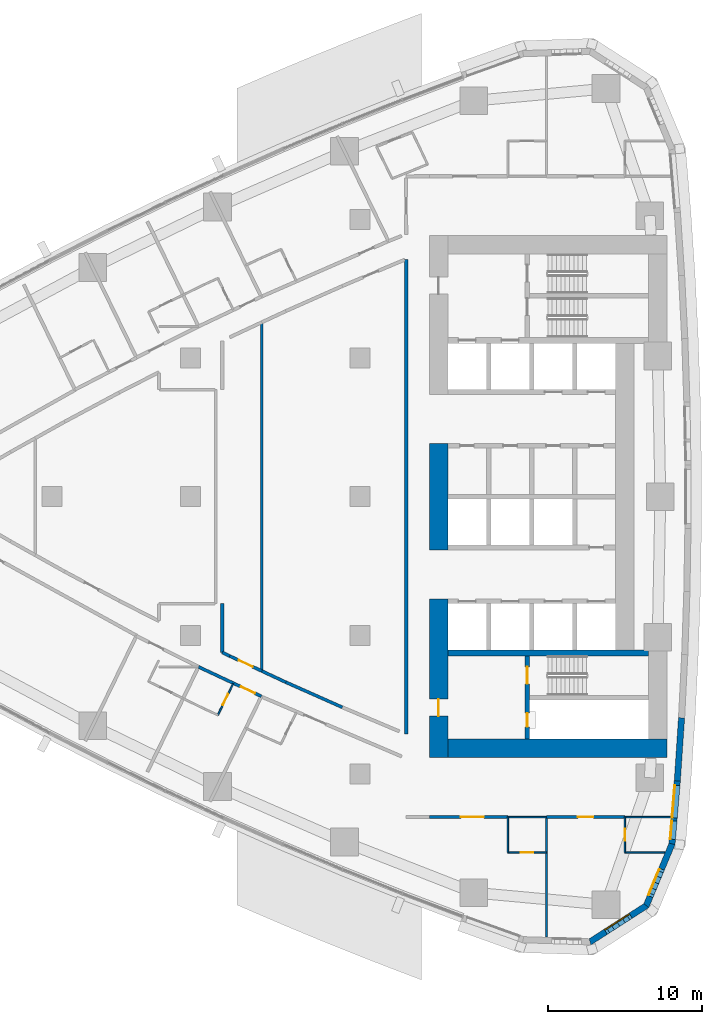
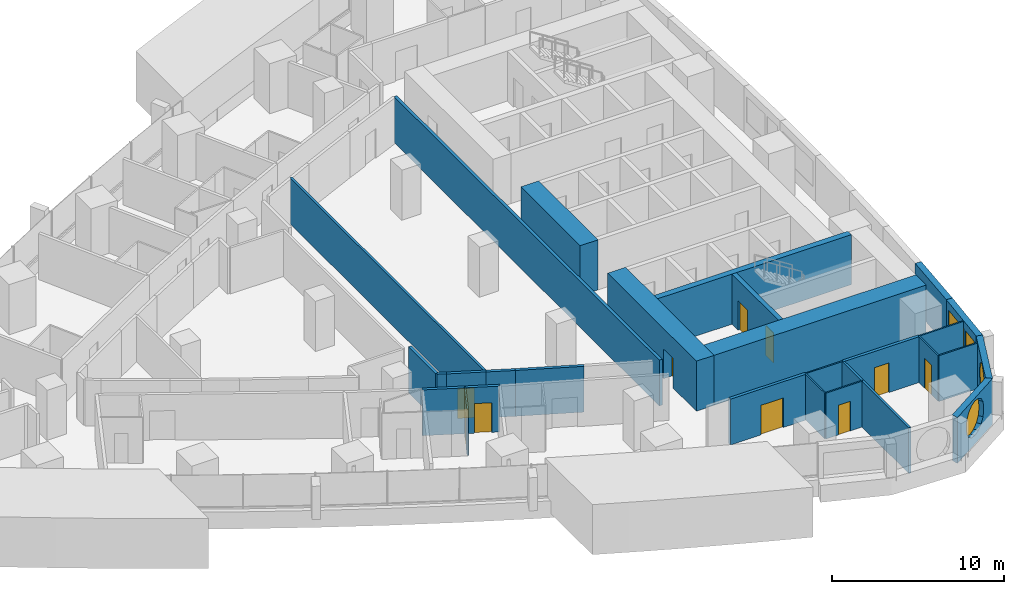
# One storey, part 10 of 19: 27 walls, 10 doors, 4 windows, 14 openings.
"""IFC4 building model written with IfcOpenShell, lengths in metres."""

from ifc_helpers import new_model, si_unit, direction, frame, frame_2d, origin, place, context, subcontext, project, spatial, polyline, rectangle, outline, extrude, material, layer, layer_set, type_object, element, fill, save


model = new_model("IFC4")

# Units and contexts
model_context = context("Model", 3, precision=1e-05, world=origin(), true_north=direction((0.0, 1.0)))
body_context = subcontext(model_context, "Body", "Model", "MODEL_VIEW")
ifc_project = project(units=[si_unit("LENGTHUNIT", "METRE"), si_unit("AREAUNIT", "SQUARE_METRE"), si_unit("VOLUMEUNIT", "CUBIC_METRE"), si_unit("PLANEANGLEUNIT", "RADIAN"), si_unit("MASSUNIT", "GRAM", prefix="KILO")], contexts=[model_context])

# Site, building, storey
site_placement = place(None, origin())
site = spatial("IfcSite", under=ifc_project, at=site_placement, CompositionType="ELEMENT")
building_placement = place(site_placement, origin())
building = spatial("IfcBuilding", under=site, at=building_placement, Name="Ostrand Prow Hotel Tower", CompositionType="ELEMENT")
storey_placement = place(building_placement, frame((0.0, 0.0, 43.14990234375)))
storey = spatial("IfcBuildingStorey", under=building, at=storey_placement, Name="L08", CompositionType="ELEMENT", Elevation=43.14990234375)

# Wall
ifc_material_1 = material(Name="Concrete C80/95", Category="concrete")
ifc_layer_1 = layer(ifc_material_1, 1.199951171875)
ifc_layer_set_1 = layer_set([ifc_layer_1], Name="Concrete C80/95")
wall_type_1 = type_object("IfcWallType", Name="Core wall 1200 C80/95", PredefinedType="SHEAR", material=ifc_layer_set_1)
wall_1_placement = place(storey_placement, frame((50.10009765625, -3.449951171875, 0.0), z_axis=(0.0, 0.0, 1.0), x_axis=(0.0, 1.0, 0.0)))
element("IfcWall", 1, at=wall_1_placement, inside=storey, type_object=wall_type_1, Name="Core wall CW-W-C", PredefinedType="SHEAR", context=body_context, shape_type="SweptSolid", body=[
    extrude(rectangle(XDim=6.89990234375, YDim=1.199951171875, at=frame_2d((3.449951171875, 0.0))), origin(), (0.0, 0.0, 1.0), 3.550048828125),
])

# Wall, opening, door
wall_2_placement = place(storey_placement, frame((50.10009765625, -16.949951171875, 0.0), z_axis=(0.0, 0.0, 1.0), x_axis=(0.0, 1.0, 0.0)))
wall_2 = element("IfcWall", 2, at=wall_2_placement, inside=storey, type_object=wall_type_1, Name="Core wall CW-W-S", PredefinedType="SHEAR", context=body_context, shape_type="SweptSolid", body=[
    extrude(rectangle(XDim=10.300048828125, YDim=1.199951171875, at=frame_2d((5.14990234375, 0.0))), origin(), (0.0, 0.0, 1.0), 3.550048828125),
])
opening_1_placement = place(wall_2_placement, frame((2.699951171875, 0.0, 0.0)))
opening_1 = element("IfcOpeningElement", 3, at=opening_1_placement, cuts=wall_2, Name="Opening FD1", PredefinedType="OPENING", context=body_context, shape_type="SweptSolid", body=[
    extrude(rectangle(XDim=1.10009765625, YDim=2.10009765625, at=frame_2d((0.550048828125, 1.050048828125))), frame((0.0, 0.60986328125, 0.0), z_axis=(0.0, -1.0, 0.0), x_axis=(1.0, 0.0, 0.0)), (0.0, 0.0, 1.0), 1.219970703125),
])
ifc_material_2 = material(Name="Steel fire door", Category="steel")
door_type_1 = type_object("IfcDoorType", Name="Fire door 1100 EI120", OperationType="SINGLE_SWING_RIGHT", PredefinedType="DOOR", material=ifc_material_2)
door_1_placement = place(opening_1_placement, origin())
door_1 = element("IfcDoor", 4, at=door_1_placement, inside=storey, type_object=door_type_1, Name="FIRE DOOR", OperationType="SINGLE_SWING_RIGHT", OverallHeight=2.10009765625, OverallWidth=1.10009765625, PredefinedType="DOOR", context=body_context, shape_type="SweptSolid", body=[
    extrude(rectangle(XDim=1.10009765625, YDim=2.10009765625, at=frame_2d((0.550048828125, 1.050048828125))), frame((0.0, 0.02490234375, 0.0), z_axis=(0.0, -1.0, 0.0), x_axis=(1.0, 0.0, 0.0)), (0.0, 0.0, 1.0), 0.050048828125),
])
fill(opening_1, door_1)

# Wall
wall_3_placement = place(storey_placement, frame((50.699951171875, -16.35009765625, 0.0), z_axis=(0.0, 0.0, 1.0), x_axis=(1.0, 0.0, 0.0)))
element("IfcWall", 5, at=wall_3_placement, inside=storey, type_object=wall_type_1, Name="Core wall CW-S", PredefinedType="SHEAR", context=body_context, shape_type="SweptSolid", body=[
    extrude(rectangle(XDim=14.219970703125, YDim=1.199951171875, at=frame_2d((7.10986328125, 0.0))), origin(), (0.0, 0.0, 1.0), 3.550048828125),
])

# Wall, openings, doors
ifc_material_3 = material(Name="Concrete C80/95", Category="concrete")
ifc_layer_2 = layer(ifc_material_3, 0.300048828125)
ifc_layer_set_2 = layer_set([ifc_layer_2], Name="Concrete C80/95")
wall_type_2 = type_object("IfcWallType", Name="Core wall 300 C80/95", PredefinedType="SHEAR", material=ifc_layer_set_2)
wall_4_placement = place(storey_placement, frame((55.85009765625, -15.75, 0.0), z_axis=(0.0, 0.0, 1.0), x_axis=(0.0, 1.0, 0.0)))
wall_4 = element("IfcWall", 6, at=wall_4_placement, inside=storey, type_object=wall_type_2, Name="Core wall PW-VS", PredefinedType="SHEAR", context=body_context, shape_type="SweptSolid", body=[
    extrude(rectangle(XDim=5.39990234375, YDim=0.300048828125, at=frame_2d((2.699951171875, 0.0))), origin(), (0.0, 0.0, 1.0), 3.550048828125),
])
opening_2_placement = place(wall_4_placement, frame((3.60009765625, 0.0, 0.0)))
opening_2 = element("IfcOpeningElement", 7, at=opening_2_placement, cuts=wall_4, Name="Opening FD1", PredefinedType="OPENING", context=body_context, shape_type="SweptSolid", body=[
    extrude(rectangle(XDim=1.10009765625, YDim=2.10009765625, at=frame_2d((0.550048828125, 1.050048828125))), frame((0.0, 0.159912109375, 0.0), z_axis=(0.0, -1.0, 0.0), x_axis=(1.0, 0.0, 0.0)), (0.0, 0.0, 1.0), 0.320068359375),
])
opening_3_placement = place(wall_4_placement, frame((0.800048828125, 0.0, 0.0)))
opening_3 = element("IfcOpeningElement", 8, at=opening_3_placement, cuts=wall_4, Name="Opening FD2", PredefinedType="OPENING", context=body_context, shape_type="SweptSolid", body=[
    extrude(rectangle(XDim=0.89990234375, YDim=2.10009765625, at=frame_2d((0.449951171875, 1.050048828125))), frame((0.0, 0.159912109375, 0.0), z_axis=(0.0, -1.0, 0.0), x_axis=(1.0, 0.0, 0.0)), (0.0, 0.0, 1.0), 0.320068359375),
])
door_2_placement = place(opening_2_placement, origin())
door_2 = element("IfcDoor", 9, at=door_2_placement, inside=storey, type_object=door_type_1, Name="FIRE DOOR", OperationType="SINGLE_SWING_RIGHT", OverallHeight=2.10009765625, OverallWidth=1.10009765625, PredefinedType="DOOR", context=body_context, shape_type="SweptSolid", body=[
    extrude(rectangle(XDim=1.10009765625, YDim=2.10009765625, at=frame_2d((0.550048828125, 1.050048828125))), frame((0.0, 0.02490234375, 0.0), z_axis=(0.0, -1.0, 0.0), x_axis=(1.0, 0.0, 0.0)), (0.0, 0.0, 1.0), 0.050048828125),
])
fill(opening_2, door_2)
ifc_material_4 = material(Name="Steel fire door", Category="steel")
door_type_2 = type_object("IfcDoorType", Name="Fire door 900 EI120", OperationType="SINGLE_SWING_LEFT", PredefinedType="DOOR", material=ifc_material_4)
door_3_placement = place(opening_3_placement, origin())
door_3 = element("IfcDoor", 10, at=door_3_placement, inside=storey, type_object=door_type_2, Name="FIRE DOOR", OperationType="SINGLE_SWING_LEFT", OverallHeight=2.10009765625, OverallWidth=0.89990234375, PredefinedType="DOOR", context=body_context, shape_type="SweptSolid", body=[
    extrude(rectangle(XDim=0.89990234375, YDim=2.10009765625, at=frame_2d((0.449951171875, 1.050048828125))), frame((0.0, 0.02490234375, 0.0), z_axis=(0.0, -1.0, 0.0), x_axis=(1.0, 0.0, 0.0)), (0.0, 0.0, 1.0), 0.050048828125),
])
fill(opening_3, door_3)

# Walls
ifc_material_5 = material(Name="Concrete C80/95", Category="concrete")
ifc_layer_3 = layer(ifc_material_5, 0.39990234375)
ifc_layer_set_3 = layer_set([ifc_layer_3], Name="Concrete C80/95")
wall_type_3 = type_object("IfcWallType", Name="Core wall 400 C80/95", PredefinedType="SHEAR", material=ifc_layer_set_3)
wall_5_placement = place(storey_placement, frame((50.699951171875, -10.14990234375, 0.0), z_axis=(0.0, 0.0, 1.0), x_axis=(1.0, 0.0, 0.0)))
element("IfcWall", 11, at=wall_5_placement, inside=storey, type_object=wall_type_3, Name="Core wall PW-BS", PredefinedType="SHEAR", context=body_context, shape_type="SweptSolid", body=[
    extrude(rectangle(XDim=13.02001953125, YDim=0.39990234375, at=frame_2d((6.510009765625, 0.0))), origin(), (0.0, 0.0, 1.0), 3.550048828125),
])
ifc_material_6 = material(Name="Plasterboard partition")
ifc_layer_4 = layer(ifc_material_6, 0.10009765625)
ifc_layer_set_4 = layer_set([ifc_layer_4], Name="Plasterboard partition")
wall_type_4 = type_object("IfcWallType", Name="Partition 100 bathroom wall", PredefinedType="PARTITIONING", material=ifc_layer_set_4)
wall_6_placement = place(storey_placement, frame((54.601806640625, -23.10009765625, 0.0), z_axis=(0.0, 0.0, 1.0), x_axis=(0.0, 1.0, 0.0)))
element("IfcWall", 12, at=wall_6_placement, inside=storey, type_object=wall_type_4, Name="BATHROOM WALL", PredefinedType="PARTITIONING", context=body_context, shape_type="SweptSolid", body=[
    extrude(rectangle(XDim=2.300048828125, YDim=0.10009765625, at=frame_2d((1.14990234375, 0.0))), origin(), (0.0, 0.0, 1.0), 3.25),
])

# Wall, opening, door
wall_7_placement = place(storey_placement, frame((57.101806640625, -23.10009765625, 0.0), z_axis=(0.0, 0.0, 1.0), x_axis=(-1.0, 0.0, 0.0)))
wall_7 = element("IfcWall", 13, at=wall_7_placement, inside=storey, type_object=wall_type_4, Name="BATHROOM WALL", PredefinedType="PARTITIONING", context=body_context, shape_type="SweptSolid", body=[
    extrude(rectangle(XDim=2.5, YDim=0.10009765625, at=frame_2d((1.25, 0.0))), origin(), (0.0, 0.0, 1.0), 3.25),
])
opening_4_placement = place(wall_7_placement, frame((0.85009765625, 0.0, 0.0)))
opening_4 = element("IfcOpeningElement", 14, at=opening_4_placement, cuts=wall_7, Name="Opening D2", PredefinedType="OPENING", context=body_context, shape_type="SweptSolid", body=[
    extrude(rectangle(XDim=0.800048828125, YDim=2.10009765625, at=frame_2d((0.39990234375, 1.050048828125))), frame((0.0, 0.06005859375, 0.0), z_axis=(0.0, -1.0, 0.0), x_axis=(1.0, 0.0, 0.0)), (0.0, 0.0, 1.0), 0.1201171875),
])
ifc_material_7 = material(Name="Timber door leaf", Category="wood")
door_type_3 = type_object("IfcDoorType", Name="Bathroom door 800", OperationType="SINGLE_SWING_LEFT", PredefinedType="DOOR", material=ifc_material_7)
door_4_placement = place(opening_4_placement, origin())
door_4 = element("IfcDoor", 15, at=door_4_placement, inside=storey, type_object=door_type_3, Name="DOOR", OperationType="SINGLE_SWING_LEFT", OverallHeight=2.10009765625, OverallWidth=0.800048828125, PredefinedType="DOOR", context=body_context, shape_type="SweptSolid", body=[
    extrude(rectangle(XDim=0.800048828125, YDim=2.10009765625, at=frame_2d((0.39990234375, 1.050048828125))), frame((0.0, 0.02490234375, 0.0), z_axis=(0.0, -1.0, 0.0), x_axis=(1.0, 0.0, 0.0)), (0.0, 0.0, 1.0), 0.050048828125),
])
fill(opening_4, door_4)

# Wall
wall_8_placement = place(storey_placement, frame((64.781494140625, -23.10009765625, 0.0), z_axis=(0.0, 0.0, 1.0), x_axis=(-1.0, 0.0, 0.0)))
element("IfcWall", 16, at=wall_8_placement, inside=storey, type_object=wall_type_4, Name="BATHROOM WALL", PredefinedType="PARTITIONING", context=body_context, shape_type="SweptSolid", body=[
    extrude(rectangle(XDim=2.578125, YDim=0.10009765625, at=frame_2d((1.2890625, 0.0))), origin(), (0.0, 0.0, 1.0), 3.25),
])

# Wall, opening, door
wall_9_placement = place(storey_placement, frame((62.203369140625, -23.10009765625, 0.0), z_axis=(0.0, 0.0, 1.0), x_axis=(0.0, 1.0, 0.0)))
wall_9 = element("IfcWall", 17, at=wall_9_placement, inside=storey, type_object=wall_type_4, Name="BATHROOM WALL", PredefinedType="PARTITIONING", context=body_context, shape_type="SweptSolid", body=[
    extrude(rectangle(XDim=2.300048828125, YDim=0.10009765625, at=frame_2d((1.14990234375, 0.0))), origin(), (0.0, 0.0, 1.0), 3.25),
])
opening_5_placement = place(wall_9_placement, frame((0.75, 0.0, 0.0)))
opening_5 = element("IfcOpeningElement", 18, at=opening_5_placement, cuts=wall_9, Name="Opening D2", PredefinedType="OPENING", context=body_context, shape_type="SweptSolid", body=[
    extrude(rectangle(XDim=0.800048828125, YDim=2.10009765625, at=frame_2d((0.39990234375, 1.050048828125))), frame((0.0, 0.06005859375, 0.0), z_axis=(0.0, -1.0, 0.0), x_axis=(1.0, 0.0, 0.0)), (0.0, 0.0, 1.0), 0.1201171875),
])
door_5_placement = place(opening_5_placement, origin())
door_5 = element("IfcDoor", 19, at=door_5_placement, inside=storey, type_object=door_type_3, Name="DOOR", OperationType="SINGLE_SWING_LEFT", OverallHeight=2.10009765625, OverallWidth=0.800048828125, PredefinedType="DOOR", context=body_context, shape_type="SweptSolid", body=[
    extrude(rectangle(XDim=0.800048828125, YDim=2.10009765625, at=frame_2d((0.39990234375, 1.050048828125))), frame((0.0, 0.02490234375, 0.0), z_axis=(0.0, -1.0, 0.0), x_axis=(1.0, 0.0, 0.0)), (0.0, 0.0, 1.0), 0.050048828125),
])
fill(opening_5, door_5)

wall_10_placement = place(storey_placement, frame((36.764892578125, -12.135986328125, 0.0), z_axis=(0.0, 0.0, 1.0), x_axis=(-0.438229314017, -0.898863208912, 0.0)))
wall_10 = element("IfcWall", 20, at=wall_10_placement, inside=storey, type_object=wall_type_4, Name="BATHROOM WALL", PredefinedType="PARTITIONING", context=body_context, shape_type="SweptSolid", body=[
    extrude(rectangle(XDim=2.27734375, YDim=0.10009765625, at=frame_2d((1.138671875, 0.0))), origin(), (0.0, 0.0, 1.0), 3.25),
])
opening_6_placement = place(wall_10_placement, frame((0.75, 0.0, 0.0)))
opening_6 = element("IfcOpeningElement", 21, at=opening_6_placement, cuts=wall_10, Name="Opening D2", PredefinedType="OPENING", context=body_context, shape_type="SweptSolid", body=[
    extrude(rectangle(XDim=0.800048828125, YDim=2.10009765625, at=frame_2d((0.39990234375, 1.050048828125))), frame((0.0, 0.06005859375, 0.0), z_axis=(0.0, -1.0, 0.0), x_axis=(1.0, 0.0, 0.0)), (0.0, 0.0, 1.0), 0.1201171875),
])
door_6_placement = place(opening_6_placement, origin())
door_6 = element("IfcDoor", 22, at=door_6_placement, inside=storey, type_object=door_type_3, Name="DOOR", OperationType="SINGLE_SWING_LEFT", OverallHeight=2.10009765625, OverallWidth=0.800048828125, PredefinedType="DOOR", context=body_context, shape_type="SweptSolid", body=[
    extrude(rectangle(XDim=0.800048828125, YDim=2.10009765625, at=frame_2d((0.39990234375, 1.050048828125))), frame((0.0, 0.02490234375, 0.0), z_axis=(0.0, -1.0, 0.0), x_axis=(1.0, 0.0, 0.0)), (0.0, 0.0, 1.0), 0.050048828125),
])
fill(opening_6, door_6)

# Walls
wall_11_placement = place(storey_placement, frame((54.601806640625, -20.804931640625, 0.0), z_axis=(0.0, 0.0, 1.0), x_axis=(1.0, 0.0, 0.0)))
element("IfcWall", 23, at=wall_11_placement, inside=storey, type_object=wall_type_4, Name="BATHROOM WALL", PredefinedType="PARTITIONING", context=body_context, shape_type="SweptSolid", body=[
    extrude(rectangle(XDim=2.5, YDim=0.10009765625, at=frame_2d((1.25, 0.0))), origin(), (0.0, 0.0, 1.0), 3.25),
])
wall_12_placement = place(storey_placement, frame((62.203369140625, -20.804931640625, 0.0), z_axis=(0.0, 0.0, 1.0), x_axis=(1.0, 0.0, 0.0)))
element("IfcWall", 24, at=wall_12_placement, inside=storey, type_object=wall_type_4, Name="BATHROOM WALL", PredefinedType="PARTITIONING", context=body_context, shape_type="SweptSolid", body=[
    extrude(rectangle(XDim=2.97119140625, YDim=0.10009765625, at=frame_2d((1.485595703125, 0.0))), origin(), (0.0, 0.0, 1.0), 3.25),
])
ifc_material_8 = material(Name="Plasterboard partition")
ifc_layer_5 = layer(ifc_material_8, 0.14990234375)
ifc_layer_set_5 = layer_set([ifc_layer_5], Name="Plasterboard partition")
wall_type_5 = type_object("IfcWallType", Name="Partition 150 room partition", PredefinedType="PARTITIONING", material=ifc_layer_set_5)
wall_13_placement = place(storey_placement, frame((57.101806640625, -28.5869140625, 0.0), z_axis=(0.0, 0.0, 1.0), x_axis=(0.0, 1.0, 0.0)))
element("IfcWall", 25, at=wall_13_placement, inside=storey, type_object=wall_type_5, Name="ROOM PARTITION", PredefinedType="PARTITIONING", context=body_context, shape_type="SweptSolid", body=[
    extrude(rectangle(XDim=7.786865234375, YDim=0.14990234375, at=frame_2d((3.8935546875, 0.0))), origin(), (0.0, 0.0, 1.0), 3.25),
])
wall_14_placement = place(storey_placement, frame((38.626220703125, -11.323486328125, 0.0), z_axis=(0.0, 0.0, 1.0), x_axis=(0.0, 1.0, 0.0)))
element("IfcWall", 26, at=wall_14_placement, inside=storey, type_object=wall_type_5, Name="ROOM PARTITION", PredefinedType="PARTITIONING", context=body_context, shape_type="SweptSolid", body=[
    extrude(rectangle(XDim=22.64697265625, YDim=0.14990234375, at=frame_2d((11.323486328125, 0.0))), origin(), (0.0, 0.0, 1.0), 3.25),
])

# Wall, opening, door
ifc_material_9 = material(Name="Plasterboard partition")
ifc_layer_6 = layer(ifc_material_9, 0.199951171875)
ifc_layer_set_6 = layer_set([ifc_layer_6], Name="Plasterboard partition")
wall_type_6 = type_object("IfcWallType", Name="Partition 200 corridor wall", PredefinedType="PARTITIONING", material=ifc_layer_set_6)
wall_15_placement = place(storey_placement, frame((34.51220703125, -11.0517578125, 0.0), z_axis=(0.0, 0.0, 1.0), x_axis=(0.905585758423, -0.424163216394, 0.0)))
wall_15 = element("IfcWall", 27, at=wall_15_placement, inside=storey, type_object=wall_type_6, Name="CORRIDOR WALL", PredefinedType="PARTITIONING", context=body_context, shape_type="SweptSolid", body=[
    extrude(rectangle(XDim=4.5068359375, YDim=0.199951171875, at=frame_2d((2.25341796875, 0.0))), origin(), (0.0, 0.0, 1.0), 3.25),
])
opening_7_placement = place(wall_15_placement, frame((3.050048828125, 0.0, 0.0)))
opening_7 = element("IfcOpeningElement", 28, at=opening_7_placement, cuts=wall_15, Name="Opening D1", PredefinedType="OPENING", context=body_context, shape_type="SweptSolid", body=[
    extrude(rectangle(XDim=1.0, YDim=2.10009765625, at=frame_2d((0.5, 1.050048828125))), frame((0.0, 0.10986328125, 0.0), z_axis=(0.0, -1.0, 0.0), x_axis=(1.0, 0.0, 0.0)), (0.0, 0.0, 1.0), 0.219970703125),
])
ifc_material_10 = material(Name="Timber door leaf", Category="wood")
door_type_4 = type_object("IfcDoorType", Name="Guest room door 1000", OperationType="SINGLE_SWING_LEFT", PredefinedType="DOOR", material=ifc_material_10)
door_7_placement = place(opening_7_placement, origin())
door_7 = element("IfcDoor", 29, at=door_7_placement, inside=storey, type_object=door_type_4, Name="DOOR", OperationType="SINGLE_SWING_LEFT", OverallHeight=2.10009765625, OverallWidth=1.0, PredefinedType="DOOR", context=body_context, shape_type="SweptSolid", body=[
    extrude(rectangle(XDim=1.0, YDim=2.10009765625, at=frame_2d((0.5, 1.050048828125))), frame((0.0, 0.02490234375, 0.0), z_axis=(0.0, -1.0, 0.0), x_axis=(1.0, 0.0, 0.0)), (0.0, 0.0, 1.0), 0.050048828125),
])
fill(opening_7, door_7)

wall_16_placement = place(storey_placement, frame((38.626220703125, -11.323486328125, 0.0), z_axis=(0.0, 0.0, 1.0), x_axis=(-0.906372737018, 0.422478948103, 0.0)))
wall_16 = element("IfcWall", 30, at=wall_16_placement, inside=storey, type_object=wall_type_6, Name="CORRIDOR WALL", PredefinedType="PARTITIONING", context=body_context, shape_type="SweptSolid", body=[
    extrude(rectangle(XDim=2.3017578125, YDim=0.199951171875, at=frame_2d((1.15087890625, 0.0))), origin(), (0.0, 0.0, 1.0), 3.25),
])
opening_8_placement = place(wall_16_placement, frame((0.65087890625, 0.0, 0.0)))
opening_8 = element("IfcOpeningElement", 31, at=opening_8_placement, cuts=wall_16, Name="Opening D1R", PredefinedType="OPENING", context=body_context, shape_type="SweptSolid", body=[
    extrude(rectangle(XDim=1.0, YDim=2.10009765625, at=frame_2d((0.5, 1.050048828125))), frame((0.0, 0.10986328125, 0.0), z_axis=(0.0, -1.0, 0.0), x_axis=(1.0, 0.0, 0.0)), (0.0, 0.0, 1.0), 0.219970703125),
])
ifc_material_11 = material(Name="Timber door leaf", Category="wood")
door_type_5 = type_object("IfcDoorType", Name="Guest room door 1000 right", OperationType="SINGLE_SWING_RIGHT", PredefinedType="DOOR", material=ifc_material_11)
door_8_placement = place(opening_8_placement, origin())
door_8 = element("IfcDoor", 32, at=door_8_placement, inside=storey, type_object=door_type_5, Name="DOOR", OperationType="SINGLE_SWING_RIGHT", OverallHeight=2.10009765625, OverallWidth=1.0, PredefinedType="DOOR", context=body_context, shape_type="SweptSolid", body=[
    extrude(rectangle(XDim=1.0, YDim=2.10009765625, at=frame_2d((0.5, 1.050048828125))), frame((0.0, 0.02490234375, 0.0), z_axis=(0.0, -1.0, 0.0), x_axis=(1.0, 0.0, 0.0)), (0.0, 0.0, 1.0), 0.050048828125),
])
fill(opening_8, door_8)

# Walls
wall_17_placement = place(storey_placement, frame((43.85009765625, -13.67724609375, 0.0), z_axis=(0.0, 0.0, 1.0), x_axis=(-0.913986953061, 0.405743576209, 0.0)))
element("IfcWall", 33, at=wall_17_placement, inside=storey, type_object=wall_type_6, Name="CORRIDOR WALL", PredefinedType="PARTITIONING", context=body_context, shape_type="SweptSolid", body=[
    extrude(rectangle(XDim=4.015869140625, YDim=0.199951171875, at=frame_2d((2.0078125, 0.0))), origin(), (0.0, 0.0, 1.0), 3.25),
])
wall_18_placement = place(storey_placement, frame((40.1796875, -12.0478515625, 0.0), z_axis=(0.0, 0.0, 1.0), x_axis=(-0.906314095157, 0.422604733668, 0.0)))
element("IfcWall", 34, at=wall_18_placement, inside=storey, type_object=wall_type_6, Name="CORRIDOR WALL", PredefinedType="PARTITIONING", context=body_context, shape_type="SweptSolid", body=[
    extrude(rectangle(XDim=1.714111328125, YDim=0.199951171875, at=frame_2d((0.85693359375, 0.0))), origin(), (0.0, 0.0, 1.0), 3.25),
])

# Wall, opening, door
wall_19_placement = place(storey_placement, frame((49.5, -20.804931640625, 0.0), z_axis=(0.0, 0.0, 1.0), x_axis=(1.0, 0.0, 0.0)))
wall_19 = element("IfcWall", 35, at=wall_19_placement, inside=storey, type_object=wall_type_6, Name="CORRIDOR WALL", PredefinedType="PARTITIONING", context=body_context, shape_type="SweptSolid", body=[
    extrude(rectangle(XDim=5.0966796875, YDim=0.199951171875, at=frame_2d((2.54833984375, 0.0))), origin(), (0.0, 0.0, 1.0), 3.25),
])
opening_9_placement = place(wall_19_placement, frame((2.04833984375, 0.0, 0.0)))
opening_9 = element("IfcOpeningElement", 36, at=opening_9_placement, cuts=wall_19, Name="Opening D15", PredefinedType="OPENING", context=body_context, shape_type="SweptSolid", body=[
    extrude(rectangle(XDim=1.5, YDim=2.10009765625, at=frame_2d((0.75, 1.050048828125))), frame((0.0, 0.10986328125, 0.0), z_axis=(0.0, -1.0, 0.0), x_axis=(1.0, 0.0, 0.0)), (0.0, 0.0, 1.0), 0.219970703125),
])
ifc_material_12 = material(Name="Timber door leaf", Category="wood")
door_type_6 = type_object("IfcDoorType", Name="Double door 1500", OperationType="DOUBLE_DOOR_SINGLE_SWING", PredefinedType="DOOR", material=ifc_material_12)
door_9_placement = place(opening_9_placement, origin())
door_9 = element("IfcDoor", 37, at=door_9_placement, inside=storey, type_object=door_type_6, Name="DOOR", OperationType="DOUBLE_DOOR_SINGLE_SWING", OverallHeight=2.10009765625, OverallWidth=1.5, PredefinedType="DOOR", context=body_context, shape_type="SweptSolid", body=[
    extrude(rectangle(XDim=1.5, YDim=2.10009765625, at=frame_2d((0.75, 1.050048828125))), frame((0.0, 0.02490234375, 0.0), z_axis=(0.0, -1.0, 0.0), x_axis=(1.0, 0.0, 0.0)), (0.0, 0.0, 1.0), 0.050048828125),
])
fill(opening_9, door_9)

wall_20_placement = place(storey_placement, frame((57.106689453125, -20.804931640625, 0.0), z_axis=(0.0, 0.0, 1.0), x_axis=(1.0, 0.0, 0.0)))
wall_20 = element("IfcWall", 38, at=wall_20_placement, inside=storey, type_object=wall_type_6, Name="CORRIDOR WALL", PredefinedType="PARTITIONING", context=body_context, shape_type="SweptSolid", body=[
    extrude(rectangle(XDim=5.091552734375, YDim=0.199951171875, at=frame_2d((2.5458984375, 0.0))), origin(), (0.0, 0.0, 1.0), 3.25),
])
opening_10_placement = place(wall_20_placement, frame((2.0458984375, 0.0, 0.0)))
opening_10 = element("IfcOpeningElement", 39, at=opening_10_placement, cuts=wall_20, Name="Opening D1", PredefinedType="OPENING", context=body_context, shape_type="SweptSolid", body=[
    extrude(rectangle(XDim=1.0, YDim=2.10009765625, at=frame_2d((0.5, 1.050048828125))), frame((0.0, 0.10986328125, 0.0), z_axis=(0.0, -1.0, 0.0), x_axis=(1.0, 0.0, 0.0)), (0.0, 0.0, 1.0), 0.219970703125),
])
door_10_placement = place(opening_10_placement, origin())
door_10 = element("IfcDoor", 40, at=door_10_placement, inside=storey, type_object=door_type_4, Name="DOOR", OperationType="SINGLE_SWING_LEFT", OverallHeight=2.10009765625, OverallWidth=1.0, PredefinedType="DOOR", context=body_context, shape_type="SweptSolid", body=[
    extrude(rectangle(XDim=1.0, YDim=2.10009765625, at=frame_2d((0.5, 1.050048828125))), frame((0.0, 0.02490234375, 0.0), z_axis=(0.0, -1.0, 0.0), x_axis=(1.0, 0.0, 0.0)), (0.0, 0.0, 1.0), 0.050048828125),
])
fill(opening_10, door_10)

# Walls
wall_21_placement = place(storey_placement, frame((36.054931640625, -10.1083984375, 0.0), z_axis=(0.0, 0.0, 1.0), x_axis=(0.0, 1.0, 0.0)))
element("IfcWall", 41, at=wall_21_placement, inside=storey, type_object=wall_type_6, Name="CORRIDOR WALL", PredefinedType="PARTITIONING", context=body_context, shape_type="SweptSolid", body=[
    extrude(rectangle(XDim=3.158935546875, YDim=0.199951171875, at=frame_2d((1.57958984375, 0.0))), origin(), (0.0, 0.0, 1.0), 3.25),
])
wall_22_placement = place(storey_placement, frame((48.0, 15.4140625, 0.0), z_axis=(0.0, 0.0, 1.0), x_axis=(0.0, -1.0, 0.0)))
element("IfcWall", 42, at=wall_22_placement, inside=storey, type_object=wall_type_6, Name="CORRIDOR WALL", PredefinedType="PARTITIONING", context=body_context, shape_type="SweptSolid", body=[
    extrude(rectangle(XDim=30.828125, YDim=0.199951171875, at=frame_2d((15.4140625, 0.0))), origin(), (0.0, 0.0, 1.0), 3.25),
])
wall_23_placement = place(storey_placement, frame((36.5400390625, -10.35107421875, 0.0), z_axis=(0.0, 0.0, 1.0), x_axis=(-0.894337154042, 0.447393624116, 0.0)))
element("IfcWall", 43, at=wall_23_placement, inside=storey, type_object=wall_type_6, Name="CORRIDOR WALL", PredefinedType="PARTITIONING", context=body_context, shape_type="SweptSolid", body=[
    extrude(rectangle(XDim=0.54248046875, YDim=0.199951171875, at=frame_2d((0.271240234375, 0.0))), origin(), (0.0, 0.0, 1.0), 3.25),
])

# Wall, opening, window
ifc_material_13 = material(Name="Precast concrete C40/50", Category="concrete")
ifc_layer_7 = layer(ifc_material_13, 0.39990234375)
ifc_layer_set_7 = layer_set([ifc_layer_7], Name="Precast concrete C40/50")
wall_type_7 = type_object("IfcWallType", Name="Stone-faced precast wall 400 mm", PredefinedType="NOTDEFINED", material=ifc_layer_set_7)
wall_24_placement = place(storey_placement, frame((59.93359375, -28.909912109375, 0.0), z_axis=(0.0, 0.0, 1.0), x_axis=(0.840937468718, 0.541132307025, 0.0)))
wall_24 = element("IfcWall", 44, at=wall_24_placement, inside=storey, type_object=wall_type_7, Name="Stone-faced wall back 3", PredefinedType="NOTDEFINED", context=body_context, shape_type="SweptSolid", body=[
    extrude(outline(polyline([(-0.0625, -0.199951171875), (4.40869140625, -0.199951171875), (4.28369140625, 0.199951171875), (0.0625, 0.199951171875), (-0.0625, -0.199951171875)])), origin(), (0.0, 0.0, 1.0), 3.25),
])
opening_11_placement = place(wall_24_placement, frame((1.072998046875, 0.0, 0.60009765625)))
opening_11 = element("IfcOpeningElement", 45, at=opening_11_placement, cuts=wall_24, Name="Opening WP1", PredefinedType="OPENING", context=body_context, shape_type="SweptSolid", body=[
    extrude(outline(polyline([(0.0, 1.35009765625), (0.083740234375, 1.77099609375), (0.322265625, 2.127685546875), (0.678955078125, 2.3662109375), (1.10009765625, 2.449951171875), (1.52099609375, 2.3662109375), (1.877685546875, 2.127685546875), (2.1162109375, 1.77099609375), (2.199951171875, 1.35009765625), (2.199951171875, 1.10009765625), (2.1162109375, 0.678955078125), (1.877685546875, 0.322265625), (1.52099609375, 0.083740234375), (1.10009765625, 0.0), (0.678955078125, 0.083740234375), (0.322265625, 0.322265625), (0.083740234375, 0.678955078125), (0.0, 1.099853515625), (0.0, 1.35009765625)])), frame((0.0, 0.2099609375, 0.0), z_axis=(0.0, -1.0, 0.0), x_axis=(1.0, 0.0, 0.0)), (0.0, 0.0, 1.0), 0.419921875),
])
ifc_material_14 = material(Name="Insulated glass in bronze frame", Category="glass")
window_type_1 = type_object("IfcWindowType", Name="Round-ended prow window 2200x2450", PartitioningType="SINGLE_PANEL", PredefinedType="WINDOW", material=ifc_material_14)
window_1_placement = place(opening_11_placement, origin())
window_1 = element("IfcWindow", 46, at=window_1_placement, inside=storey, type_object=window_type_1, Name="Window back 3.1", OverallHeight=2.449951171875, OverallWidth=2.199951171875, PartitioningType="SINGLE_PANEL", PredefinedType="WINDOW", context=body_context, shape_type="SweptSolid", body=[
    extrude(outline(polyline([(0.0, 1.35009765625), (0.083740234375, 1.77099609375), (0.322265625, 2.127685546875), (0.678955078125, 2.3662109375), (1.10009765625, 2.449951171875), (1.52099609375, 2.3662109375), (1.877685546875, 2.127685546875), (2.1162109375, 1.77099609375), (2.199951171875, 1.35009765625), (2.199951171875, 1.10009765625), (2.1162109375, 0.678955078125), (1.877685546875, 0.322265625), (1.52099609375, 0.083740234375), (1.10009765625, 0.0), (0.678955078125, 0.083740234375), (0.322265625, 0.322265625), (0.083740234375, 0.678955078125), (0.0, 1.099853515625), (0.0, 1.35009765625)])), frame((0.0, 0.169921875, 0.0), z_axis=(0.0, -1.0, 0.0), x_axis=(1.0, 0.0, 0.0)), (0.0, 0.0, 1.0), 0.06005859375),
])
fill(opening_11, window_1)

wall_25_placement = place(storey_placement, frame((63.58837890625, -26.55810546875, 0.0), z_axis=(0.0, 0.0, 1.0), x_axis=(0.384372042685, 0.923178277908, 0.0)))
wall_25 = element("IfcWall", 47, at=wall_25_placement, inside=storey, type_object=wall_type_7, Name="Stone-faced wall back 4", PredefinedType="NOTDEFINED", context=body_context, shape_type="SweptSolid", body=[
    extrude(outline(polyline([(-0.0625, -0.199951171875), (4.376953125, -0.199951171875), (4.314453125, 0.199951171875), (0.0625, 0.199951171875), (-0.0625, -0.199951171875)])), origin(), (0.0, 0.0, 1.0), 3.25),
])
opening_12_placement = place(wall_25_placement, frame((0.515380859375, 0.0, 0.60009765625)))
opening_12 = element("IfcOpeningElement", 48, at=opening_12_placement, cuts=wall_25, Name="Opening WP1", PredefinedType="OPENING", context=body_context, shape_type="SweptSolid", body=[
    extrude(outline(polyline([(0.0, 1.35009765625), (0.083740234375, 1.77099609375), (0.322265625, 2.127685546875), (0.678955078125, 2.3662109375), (1.10009765625, 2.449951171875), (1.52099609375, 2.3662109375), (1.877685546875, 2.127685546875), (2.1162109375, 1.77099609375), (2.199951171875, 1.35009765625), (2.199951171875, 1.10009765625), (2.1162109375, 0.678955078125), (1.877685546875, 0.322265625), (1.52099609375, 0.083740234375), (1.10009765625, 0.0), (0.678955078125, 0.083740234375), (0.322265625, 0.322265625), (0.083740234375, 0.678955078125), (0.0, 1.099853515625), (0.0, 1.35009765625)])), frame((0.0, 0.2099609375, 0.0), z_axis=(0.0, -1.0, 0.0), x_axis=(1.0, 0.0, 0.0)), (0.0, 0.0, 1.0), 0.419921875),
])
window_2_placement = place(opening_12_placement, origin())
window_2 = element("IfcWindow", 49, at=window_2_placement, inside=storey, type_object=window_type_1, Name="Window back 4.1", OverallHeight=2.449951171875, OverallWidth=2.199951171875, PartitioningType="SINGLE_PANEL", PredefinedType="WINDOW", context=body_context, shape_type="SweptSolid", body=[
    extrude(outline(polyline([(0.0, 1.35009765625), (0.083740234375, 1.77099609375), (0.322265625, 2.127685546875), (0.678955078125, 2.3662109375), (1.10009765625, 2.449951171875), (1.52099609375, 2.3662109375), (1.877685546875, 2.127685546875), (2.1162109375, 1.77099609375), (2.199951171875, 1.35009765625), (2.199951171875, 1.10009765625), (2.1162109375, 0.678955078125), (1.877685546875, 0.322265625), (1.52099609375, 0.083740234375), (1.10009765625, 0.0), (0.678955078125, 0.083740234375), (0.322265625, 0.322265625), (0.083740234375, 0.678955078125), (0.0, 1.099853515625), (0.0, 1.35009765625)])), frame((0.0, 0.169921875, 0.0), z_axis=(0.0, -1.0, 0.0), x_axis=(1.0, 0.0, 0.0)), (0.0, 0.0, 1.0), 0.06005859375),
])
fill(opening_12, window_2)

# Wall, openings, windows
wall_26_placement = place(storey_placement, frame((65.2587890625, -22.546142578125, 0.0), z_axis=(0.0, 0.0, 1.0), x_axis=(0.083793550906, 0.996483136248, 0.0)))
wall_26 = element("IfcWall", 50, at=wall_26_placement, inside=storey, type_object=wall_type_7, Name="Stone-faced wall back 5", PredefinedType="NOTDEFINED", context=body_context, shape_type="SweptSolid", body=[
    extrude(outline(polyline([(-0.03125, -0.199951171875), (4.10693359375, -0.199951171875), (4.103515625, 0.199951171875), (0.03125, 0.199951171875), (-0.03125, -0.199951171875)])), origin(), (0.0, 0.0, 1.0), 3.25),
])
opening_13_placement = place(wall_26_placement, frame((0.302490234375, 0.0, 0.89990234375)))
opening_13 = element("IfcOpeningElement", 51, at=opening_13_placement, cuts=wall_26, Name="Opening WS4", PredefinedType="OPENING", context=body_context, shape_type="SweptSolid", body=[
    extrude(rectangle(XDim=1.199951171875, YDim=1.800048828125, at=frame_2d((0.60009765625, 0.89990234375))), frame((0.0, 0.2099609375, 0.0), z_axis=(0.0, -1.0, 0.0), x_axis=(1.0, 0.0, 0.0)), (0.0, 0.0, 1.0), 0.419921875),
])
opening_14_placement = place(wall_26_placement, frame((1.702392578125, 0.0, 0.89990234375)))
opening_14 = element("IfcOpeningElement", 52, at=opening_14_placement, cuts=wall_26, Name="Opening WS5-21", PredefinedType="OPENING", context=body_context, shape_type="SweptSolid", body=[
    extrude(rectangle(XDim=2.10009765625, YDim=1.800048828125, at=frame_2d((1.050048828125, 0.89990234375))), frame((0.0, 0.2099609375, 0.0), z_axis=(0.0, -1.0, 0.0), x_axis=(1.0, 0.0, 0.0)), (0.0, 0.0, 1.0), 0.419921875),
])
ifc_material_15 = material(Name="Insulated glass in bronze frame", Category="glass")
window_type_2 = type_object("IfcWindowType", Name="Fixed strip window 2100x1800", PartitioningType="SINGLE_PANEL", PredefinedType="WINDOW", material=ifc_material_15)
window_3_placement = place(opening_14_placement, origin())
window_3 = element("IfcWindow", 53, at=window_3_placement, inside=storey, type_object=window_type_2, Name="Window back 5.2", OverallHeight=1.800048828125, OverallWidth=2.10009765625, PartitioningType="SINGLE_PANEL", PredefinedType="WINDOW", context=body_context, shape_type="SweptSolid", body=[
    extrude(rectangle(XDim=2.10009765625, YDim=1.800048828125, at=frame_2d((1.050048828125, 0.89990234375))), frame((0.0, 0.169921875, 0.0), z_axis=(0.0, -1.0, 0.0), x_axis=(1.0, 0.0, 0.0)), (0.0, 0.0, 1.0), 0.06005859375),
])
fill(opening_14, window_3)
ifc_material_16 = material(Name="Insulated glass in bronze frame", Category="glass")
window_type_3 = type_object("IfcWindowType", Name="Operable strip panel 1200x1800", PartitioningType="SINGLE_PANEL", PredefinedType="WINDOW", material=ifc_material_16)
window_4_placement = place(opening_13_placement, origin())
window_4 = element("IfcWindow", 54, at=window_4_placement, inside=storey, type_object=window_type_3, Name="Window back 5.1", OverallHeight=1.800048828125, OverallWidth=1.199951171875, PartitioningType="SINGLE_PANEL", PredefinedType="WINDOW", context=body_context, shape_type="SweptSolid", body=[
    extrude(rectangle(XDim=1.199951171875, YDim=1.800048828125, at=frame_2d((0.60009765625, 0.89990234375))), frame((0.0, 0.169921875, 0.0), z_axis=(0.0, -1.0, 0.0), x_axis=(1.0, 0.0, 0.0)), (0.0, 0.0, 1.0), 0.06005859375),
])
fill(opening_13, window_4)

# Wall
wall_27_placement = place(storey_placement, frame((65.602783203125, -18.455322265625, 0.0), z_axis=(0.0, 0.0, 1.0), x_axis=(0.067087430225, 0.997747100575, 0.0)))
element("IfcWall", 55, at=wall_27_placement, inside=storey, type_object=wall_type_7, Name="Stone-faced wall back 6", PredefinedType="NOTDEFINED", context=body_context, shape_type="SweptSolid", body=[
    extrude(outline(polyline([(-0.001708984375, -0.199951171875), (4.106689453125, -0.199951171875), (4.103271484375, 0.199951171875), (0.001708984375, 0.199951171875), (-0.001708984375, -0.199951171875)])), origin(), (0.0, 0.0, 1.0), 3.25),
])

save(model, "model.ifc")
